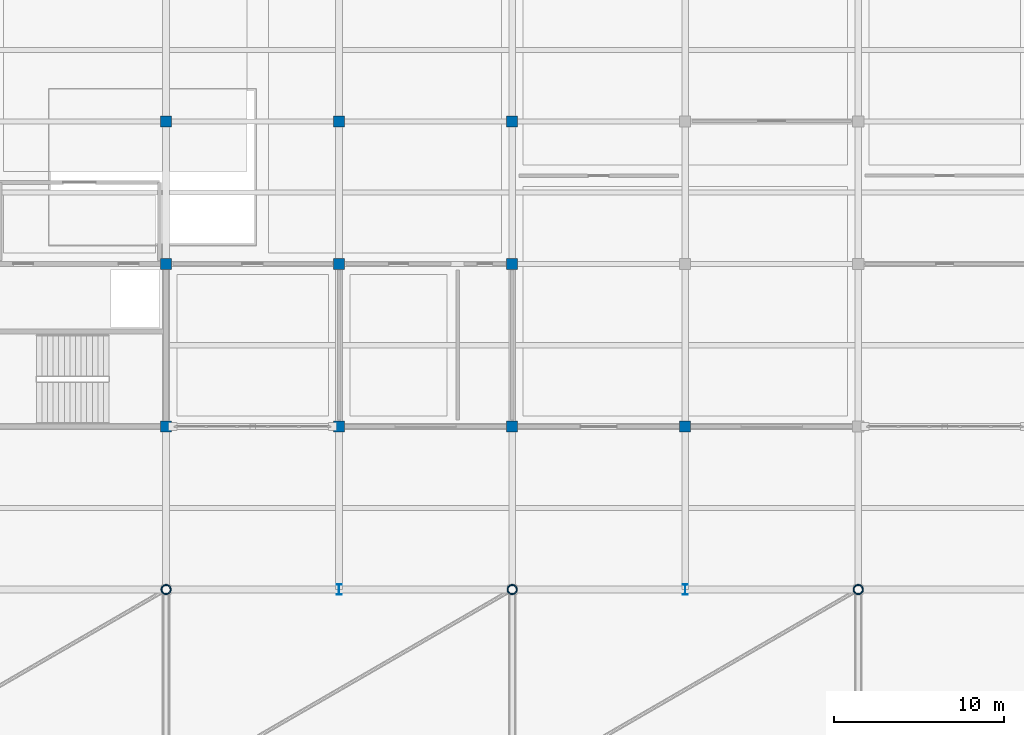
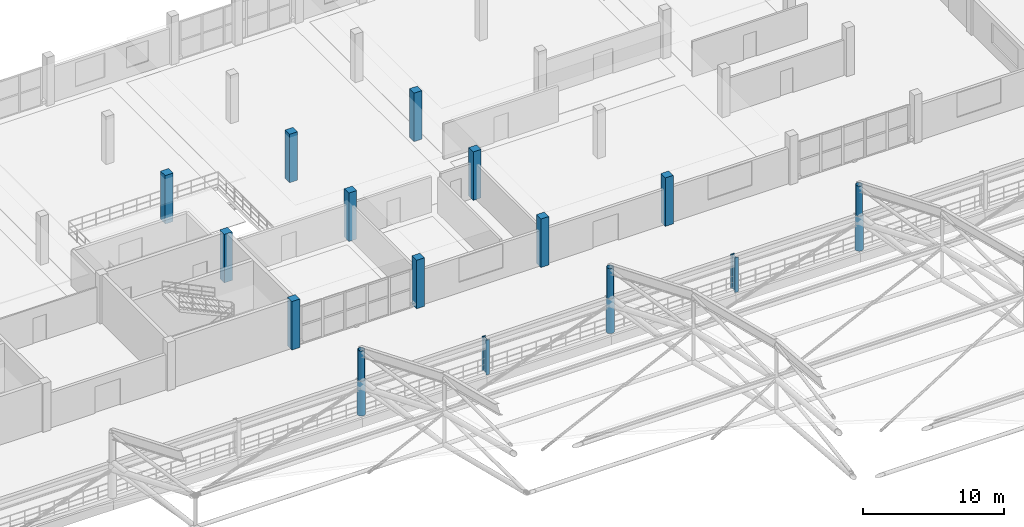
# One storey, part 6 of 135: 18 columns.
"""IFC4 building model written with IfcOpenShell, lengths in metres."""

from ifc_helpers import new_model, si_unit, direction, frame, origin, origin_2d, place, context, subcontext, project, spatial, rectangle, hollow_circle, i_section, extrude, material, material_profile, profile_set, type_object, element, save


model = new_model("IFC4")

# Units and contexts
model_context = context("Model", 3, precision=1e-05, world=origin(), true_north=direction((0.0, 1.0)))
body_context = subcontext(model_context, "Body", "Model", "MODEL_VIEW")
ifc_project = project(units=[si_unit("LENGTHUNIT", "METRE"), si_unit("AREAUNIT", "SQUARE_METRE"), si_unit("VOLUMEUNIT", "CUBIC_METRE"), si_unit("PLANEANGLEUNIT", "RADIAN"), si_unit("MASSUNIT", "GRAM", prefix="KILO")], contexts=[model_context])

# Site, building, storey
site_placement = place(None, origin())
site = spatial("IfcSite", under=ifc_project, at=site_placement, CompositionType="ELEMENT")
building_placement = place(site_placement, origin())
building = spatial("IfcBuilding", under=site, at=building_placement, Name="Brelvane Convention Centre", CompositionType="ELEMENT")
storey_placement = place(building_placement, frame((0.0, 0.0, 15.0)))
storey = spatial("IfcBuildingStorey", under=building, at=storey_placement, Name="L03", CompositionType="ELEMENT", Elevation=15.0)

# Columns
ifc_material_1 = material(Name="Concrete M50", Category="concrete")
ifc_material_profile_1 = material_profile(ifc_material_1, rectangle(XDim=0.64990234375, YDim=0.64990234375, at=origin_2d()), Name="RC 650x650")
ifc_profile_set_1 = profile_set([ifc_material_profile_1], Name="Concrete M50")
column_type_1 = type_object("IfcColumnType", Name="RC Column C-RC10 (RC 650x650)", PredefinedType="COLUMN", material=ifc_profile_set_1)
for number, where, z_axis, x_axis, name in (
    (1, (40.800048828125, 109.199951171875, 0.0), (0.0, 0.0, 1.0), (1.0, 0.0, 0.0), "Column 5-L (L03)"),
    (2, (40.800048828125, 118.800048828125, 0.0), (0.0, 0.0, 1.0), (1.0, 0.0, 0.0), "Column 5-M (L03)"),
    (3, (40.800048828125, 127.199951171875, 0.0), (0.0, 0.0, 1.0), (1.0, 0.0, 0.0), "Column 5-N (L03)"),
    (4, (51.0, 109.199951171875, 0.0), (0.0, 0.0, 1.0), (1.0, 0.0, 0.0), "Column 6-L (L03)"),
    (5, (51.0, 118.800048828125, 0.0), (0.0, 0.0, 1.0), (1.0, 0.0, 0.0), "Column 6-M (L03)"),
    (6, (51.0, 127.199951171875, 0.0), (0.0, 0.0, 1.0), (1.0, 0.0, 0.0), "Column 6-N (L03)"),
    (7, (61.199951171875, 109.199951171875, 0.0), (0.0, 0.0, 1.0), (1.0, 0.0, 0.0), "Column 7-L (L03)"),
    (8, (61.199951171875, 118.800048828125, 0.0), (0.0, 0.0, 1.0), (1.0, 0.0, 0.0), "Column 7-M (L03)"),
    (9, (61.199951171875, 127.199951171875, 0.0), (0.0, 0.0, 1.0), (1.0, 0.0, 0.0), "Column 7-N (L03)"),
    (10, (71.39990234375, 109.199951171875, 0.0), (0.0, 0.0, 1.0), (1.0, 0.0, 0.0), "Column 8-L (L03)"),
):
    element("IfcColumn", number, at=place(storey_placement, frame(where, z_axis=z_axis, x_axis=x_axis)), inside=storey, type_object=column_type_1, Name=name, PredefinedType="COLUMN", context=body_context, shape_type="SweptSolid", body=[
        extrude(rectangle(XDim=0.64990234375, YDim=0.64990234375, at=origin_2d()), origin(), (0.0, 0.0, 1.0), 4.199951171875),
    ])
ifc_material_2 = material(Name="Steel E450 (450 MPa)", Category="steel")
ifc_material_profile_2 = material_profile(ifc_material_2, hollow_circle(Radius=0.304931640625, WallThickness=0.02490234375, at=origin_2d()), Name="CHS 610.0x25.0")
ifc_profile_set_2 = profile_set([ifc_material_profile_2], Name="Steel E450 (450 MPa)")
column_type_2 = type_object("IfcColumnType", Name="Steel Column C-ST1 (CHS 610.0x25.0)", PredefinedType="COLUMN", material=ifc_profile_set_2)
for number, where, z_axis, x_axis, name in (
    (11, (40.800048828125, 99.60009765625, 0.0), (0.0, 0.0, 1.0), (1.0, 0.0, 0.0), "Column 5-K (L03)"),
    (12, (61.199951171875, 99.60009765625, 0.0), (0.0, 0.0, 1.0), (1.0, 0.0, 0.0), "Column 7-K (L03)"),
    (13, (81.60009765625, 99.60009765625, 0.0), (0.0, 0.0, 1.0), (1.0, 0.0, 0.0), "Column 9-K (L03)"),
):
    element("IfcColumn", number, at=place(storey_placement, frame(where, z_axis=z_axis, x_axis=x_axis)), inside=storey, type_object=column_type_2, Name=name, PredefinedType="COLUMN", context=body_context, shape_type="SweptSolid", body=[
        extrude(hollow_circle(Radius=0.304931640625, WallThickness=0.02490234375, at=origin_2d()), origin(), (0.0, 0.0, 1.0), 3.0),
    ])
ifc_material_3 = material(Name="Steel E450 (450 MPa)", Category="steel")
ifc_material_profile_3 = material_profile(ifc_material_3, hollow_circle(Radius=0.25390625, WallThickness=0.02001953125, at=origin_2d()), Name="CHS 508.0x20.0")
ifc_profile_set_3 = profile_set([ifc_material_profile_3], Name="Steel E450 (450 MPa)")
column_type_3 = type_object("IfcColumnType", Name="Steel Column C-ST2 (CHS 508.0x20.0)", PredefinedType="COLUMN", material=ifc_profile_set_3)
for number, where, z_axis, x_axis, name in (
    (14, (40.800048828125, 99.60009765625, 3.0), (0.0, 0.0, 1.0), (1.0, 0.0, 0.0), "EXO_EXH Exoskeletal Eaves Mast 3-N"),
    (15, (61.199951171875, 99.60009765625, 3.0), (0.0, 0.0, 1.0), (1.0, 0.0, 0.0), "EXO_EXH Exoskeletal Eaves Mast 4-N"),
    (16, (81.60009765625, 99.60009765625, 3.0), (0.0, 0.0, 1.0), (1.0, 0.0, 0.0), "EXO_EXH Exoskeletal Eaves Mast 5-N"),
):
    element("IfcColumn", number, at=place(storey_placement, frame(where, z_axis=z_axis, x_axis=x_axis)), inside=storey, type_object=column_type_3, Name=name, PredefinedType="COLUMN", context=body_context, shape_type="SweptSolid", body=[
        extrude(hollow_circle(Radius=0.25390625, WallThickness=0.02001953125, at=origin_2d()), origin(), (0.0, 0.0, 1.0), 2.60009765625),
    ])
ifc_material_4 = material(Name="Steel E450 (450 MPa)", Category="steel")
ifc_material_profile_4 = material_profile(ifc_material_4, i_section(OverallWidth=0.300048828125, OverallDepth=0.60009765625, WebThickness=0.015380859375, FlangeThickness=0.030029296875, FilletRadius=0.027099609375, at=origin_2d()), Name="WPB 600x300")
ifc_profile_set_4 = profile_set([ifc_material_profile_4], Name="Steel E450 (450 MPa)")
column_type_4 = type_object("IfcColumnType", Name="Steel Column C-ST5 (WPB 600x300)", PredefinedType="COLUMN", material=ifc_profile_set_4)
for number, where, z_axis, x_axis, name in (
    (17, (51.0, 99.60009765625, 0.0), (0.0, 0.0, 1.0), (1.0, 0.0, 0.0), "Column 6-K (L03)"),
    (18, (71.39990234375, 99.60009765625, 0.0), (0.0, 0.0, 1.0), (1.0, 0.0, 0.0), "Column 8-K (L03)"),
):
    element("IfcColumn", number, at=place(storey_placement, frame(where, z_axis=z_axis, x_axis=x_axis)), inside=storey, type_object=column_type_4, Name=name, PredefinedType="COLUMN", context=body_context, shape_type="SweptSolid", body=[
        extrude(i_section(OverallWidth=0.300048828125, OverallDepth=0.60009765625, WebThickness=0.015380859375, FlangeThickness=0.030029296875, FilletRadius=0.027099609375, at=origin_2d()), origin(), (0.0, 0.0, 1.0), 3.0),
    ])

save(model, "model.ifc")
